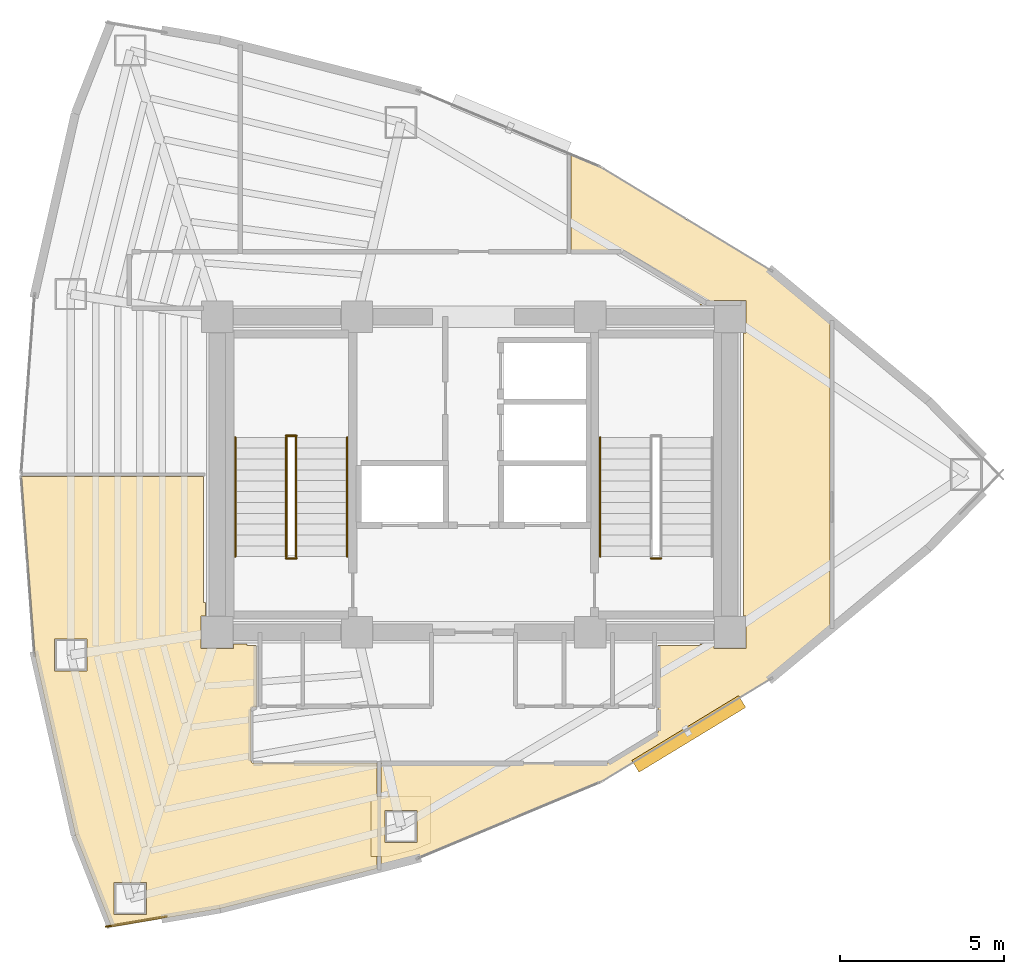
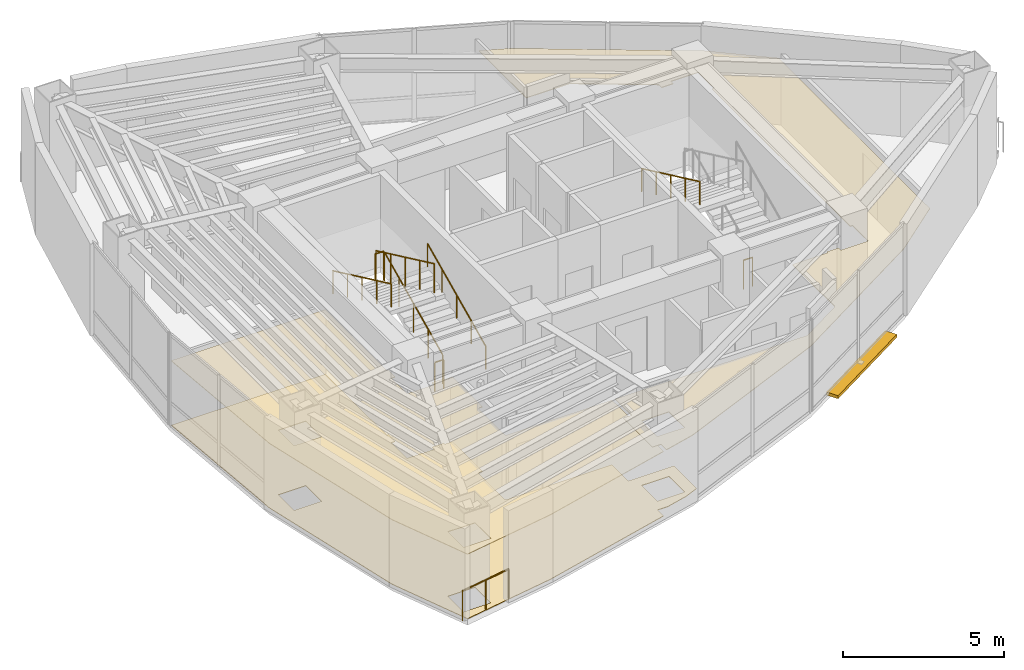
# One storey, part 14 of 15: 9 railings, 3 coverings, 1 shading device.
"""IFC4 building model written with IfcOpenShell, lengths in metres."""

from ifc_helpers import new_model, si_unit, direction, frame, origin, origin_2d, place, context, subcontext, project, spatial, polyline, rectangle, circle, outline, extrude, material, layer, layer_set, type_object, element, save


model = new_model("IFC4")

# Units and contexts
model_context = context("Model", 3, precision=1e-05, world=origin(), true_north=direction((0.0, 1.0)))
body_context = subcontext(model_context, "Body", "Model", "MODEL_VIEW")
ifc_project = project(units=[si_unit("LENGTHUNIT", "METRE"), si_unit("AREAUNIT", "SQUARE_METRE"), si_unit("VOLUMEUNIT", "CUBIC_METRE"), si_unit("PLANEANGLEUNIT", "RADIAN"), si_unit("MASSUNIT", "GRAM", prefix="KILO")], contexts=[model_context])

# Site, building, storey
site_placement = place(None, origin())
site = spatial("IfcSite", under=ifc_project, at=site_placement, CompositionType="ELEMENT")
building_placement = place(site_placement, origin())
building = spatial("IfcBuilding", under=site, at=building_placement, Name="Menara Vayukalpa", CompositionType="ELEMENT")
storey_placement = place(building_placement, frame((0.0, 0.0, 187.800048828125)))
storey = spatial("IfcBuildingStorey", under=building, at=storey_placement, Name="L47", CompositionType="ELEMENT", Elevation=187.800048828125)

# Coverings
ifc_material_1 = material(Name="Mineral Fibre Acoustic Ceiling Tile", Category="masonry")
ifc_layer_1 = layer(ifc_material_1, 0.02490234375)
ifc_layer_set_1 = layer_set([ifc_layer_1], Name="Mineral Fibre Acoustic Ceiling Tile")
covering_type_1 = type_object("IfcCoveringType", Name="COV-CLG1", PredefinedType="CEILING", material=ifc_layer_set_1)
covering_1_placement = place(storey_placement, frame((0.0, 0.0, 2.449951171875)))
element("IfcCovering", 1, at=covering_1_placement, inside=storey, type_object=covering_type_1, Name="L47 Departmental Archive Room Acoustic Ceiling", PredefinedType="CEILING", context=body_context, shape_type="SweptSolid", body=[
    extrude(outline(polyline([(24.29931640625, 10.78662109375), (23.799560546875, 10.57763671875), (23.03076171875, 10.381591796875), (22.664794921875, 10.381591796875), (22.664794921875, 10.017333984375), (22.664794921875, 10.016357421875), (22.664794921875, 10.015380859375), (22.664306640625, 10.014404296875), (22.6640625, 10.013427734375), (22.66357421875, 10.012451171875), (22.6630859375, 10.01171875), (22.66259765625, 10.010986328125), (22.661865234375, 10.010009765625), (22.660888671875, 10.009521484375), (22.66015625, 10.0087890625), (22.6591796875, 10.00830078125), (22.658203125, 10.008056640625), (22.657470703125, 10.0078125), (17.8798828125, 8.789306640625), (17.879150390625, 8.7890625), (14.59423828125, 8.2314453125), (14.59326171875, 8.231201171875), (14.59228515625, 8.231201171875), (14.59130859375, 8.2314453125), (14.59033203125, 8.2314453125), (14.58935546875, 8.231689453125), (14.58837890625, 8.232177734375), (14.587646484375, 8.232666015625), (14.5869140625, 8.233154296875), (14.5859375, 8.233642578125), (14.585205078125, 8.234375), (14.584716796875, 8.235107421875), (14.583984375, 8.23583984375), (14.58349609375, 8.23681640625), (14.583251953125, 8.237548828125), (13.489013671875, 11.023681640625), (13.48876953125, 11.0244140625), (13.488525390625, 11.025146484375), (12.25390625, 16.51171875), (12.25390625, 16.51318359375), (11.84765625, 21.92919921875), (11.84765625, 21.93017578125), (11.84765625, 21.93115234375), (11.847900390625, 21.93212890625), (11.84814453125, 21.93310546875), (11.848388671875, 21.93408203125), (11.848876953125, 21.934814453125), (11.849365234375, 21.935791015625), (11.849853515625, 21.936279296875), (11.8505859375, 21.93701171875), (11.851318359375, 21.937744140625), (11.85205078125, 21.9384765625), (11.852783203125, 21.93896484375), (11.853759765625, 21.939208984375), (11.854736328125, 21.939697265625), (11.855712890625, 21.939697265625), (11.856689453125, 21.93994140625), (11.857666015625, 21.93994140625), (17.3798828125, 21.93994140625), (17.381103515625, 21.93994140625), (17.382080078125, 21.939697265625), (17.3828125, 21.939697265625), (17.3837890625, 21.939208984375), (17.384765625, 21.938720703125), (17.385498046875, 21.938232421875), (17.38623046875, 21.937744140625), (17.38720703125, 21.93701171875), (17.3876953125, 21.936279296875), (17.38818359375, 21.935546875), (17.388916015625, 21.934814453125), (17.38916015625, 21.933837890625), (17.3896484375, 21.932861328125), (17.389892578125, 21.931884765625), (17.389892578125, 21.930908203125), (17.389892578125, 21.929931640625), (17.389892578125, 18.110107421875), (17.449951171875, 18.110107421875), (17.449951171875, 17.68994140625), (17.31005859375, 17.68994140625), (17.31005859375, 16.7099609375), (18.2900390625, 16.7099609375), (18.2900390625, 16.85009765625), (18.7099609375, 16.85009765625), (18.7099609375, 16.7900390625), (18.97998046875, 16.7900390625), (18.98095703125, 16.7900390625), (18.98193359375, 16.789794921875), (18.98291015625, 16.78955078125), (18.98388671875, 16.789306640625), (18.984619140625, 16.788818359375), (18.985595703125, 16.788330078125), (18.986328125, 16.78759765625), (18.987060546875, 16.787109375), (18.98779296875, 16.786376953125), (18.98828125, 16.78564453125), (18.98876953125, 16.78466796875), (18.9892578125, 16.78369140625), (18.989501953125, 16.782958984375), (18.98974609375, 16.781982421875), (18.989990234375, 16.781005859375), (18.989990234375, 16.780029296875), (18.989990234375, 14.929931640625), (18.989990234375, 14.928955078125), (18.98974609375, 14.927978515625), (18.989501953125, 14.927001953125), (18.9892578125, 14.92626953125), (18.98876953125, 14.92529296875), (18.98828125, 14.92431640625), (18.98779296875, 14.923583984375), (18.987060546875, 14.9228515625), (18.986328125, 14.92236328125), (18.985595703125, 14.921630859375), (18.984619140625, 14.921142578125), (18.98388671875, 14.9208984375), (18.98291015625, 14.92041015625), (18.98193359375, 14.920166015625), (18.98095703125, 14.919921875), (18.97998046875, 14.919921875), (18.900390625, 14.919921875), (18.893310546875, 14.919677734375), (18.88623046875, 14.918701171875), (18.879638671875, 14.9169921875), (18.873291015625, 14.914794921875), (18.866943359375, 14.911865234375), (18.861083984375, 14.908203125), (18.85546875, 14.904052734375), (18.8505859375, 14.8994140625), (18.845947265625, 14.89453125), (18.841796875, 14.888916015625), (18.838134765625, 14.883056640625), (18.835205078125, 14.876708984375), (18.8330078125, 14.870361328125), (18.831298828125, 14.86376953125), (18.830322265625, 14.856689453125), (18.830078125, 14.849609375), (18.830078125, 13.290283203125), (18.830322265625, 13.283203125), (18.831298828125, 13.2763671875), (18.8330078125, 13.269775390625), (18.835205078125, 13.26318359375), (18.838134765625, 13.257080078125), (18.841796875, 13.251220703125), (18.845947265625, 13.24560546875), (18.8505859375, 13.240478515625), (18.85546875, 13.236083984375), (18.861083984375, 13.231689453125), (18.866943359375, 13.228271484375), (18.873291015625, 13.225341796875), (18.879638671875, 13.222900390625), (18.88623046875, 13.22119140625), (18.893310546875, 13.220458984375), (18.900390625, 13.219970703125), (22.65478515625, 13.219970703125), (22.656005859375, 13.219970703125), (22.656982421875, 13.2197265625), (22.65771484375, 13.219482421875), (22.65869140625, 13.21923828125), (22.65966796875, 13.21875), (22.660400390625, 13.21826171875), (22.6611328125, 13.2177734375), (22.662109375, 13.217041015625), (22.66259765625, 13.21630859375), (22.6630859375, 13.215576171875), (22.663818359375, 13.214599609375), (22.6640625, 13.2138671875), (22.66455078125, 13.212890625), (22.664794921875, 13.2119140625), (22.664794921875, 13.2109375), (22.664794921875, 13.2099609375), (22.664794921875, 12.20166015625), (24.29931640625, 12.20166015625), (24.29931640625, 10.78662109375)]), holes=[polyline([(14.664794921875, 9.58740234375), (14.664794921875, 8.607421875), (15.644775390625, 8.607421875), (15.644775390625, 9.58740234375), (14.664794921875, 9.58740234375)]), polyline([(13.833984375, 17.000732421875), (12.85400390625, 17.000732421875), (12.85400390625, 16.020751953125), (13.833984375, 16.020751953125), (13.833984375, 17.000732421875)]), polyline([(23.87939453125, 11.781494140625), (22.8994140625, 11.781494140625), (22.8994140625, 10.801513671875), (23.87939453125, 10.801513671875), (23.87939453125, 11.781494140625)])]), origin(), (0.0, 0.0, 1.0), 0.02490234375),
])
covering_2_placement = place(storey_placement, frame((0.0, 0.0, 2.449951171875)))
element("IfcCovering", 2, at=covering_2_placement, inside=storey, type_object=covering_type_1, Name="L47 Staff Dining and Pantry Acoustic Ceiling", PredefinedType="CEILING", context=body_context, shape_type="SweptSolid", body=[
    extrude(outline(polyline([(22.784912109375, 13.2099609375), (22.784912109375, 13.2109375), (22.78515625, 13.2119140625), (22.785400390625, 13.212890625), (22.78564453125, 13.2138671875), (22.7861328125, 13.214599609375), (22.78662109375, 13.215576171875), (22.787109375, 13.21630859375), (22.787841796875, 13.217041015625), (22.78857421875, 13.2177734375), (22.789306640625, 13.21826171875), (22.790283203125, 13.21875), (22.791015625, 13.21923828125), (22.7919921875, 13.219482421875), (22.79296875, 13.2197265625), (22.7939453125, 13.219970703125), (22.794921875, 13.219970703125), (29.667236328125, 13.219970703125), (29.673828125, 13.22021484375), (29.68017578125, 13.22119140625), (29.686279296875, 13.22265625), (29.6923828125, 13.224609375), (29.6982421875, 13.22705078125), (29.7041015625, 13.230224609375), (31.18603515625, 14.130615234375), (31.1923828125, 14.134765625), (31.19775390625, 14.139404296875), (31.20263671875, 14.14453125), (31.20703125, 14.150146484375), (31.2109375, 14.15625), (31.214111328125, 14.16259765625), (31.216552734375, 14.16943359375), (31.218505859375, 14.176513671875), (31.219482421875, 14.183349609375), (31.219970703125, 14.19091796875), (31.219970703125, 14.849609375), (31.219482421875, 14.856689453125), (31.21875, 14.86376953125), (31.217041015625, 14.870361328125), (31.214599609375, 14.876708984375), (31.2119140625, 14.8828125), (31.211669921875, 14.883056640625), (31.211181640625, 14.8837890625), (31.210693359375, 14.884765625), (31.21044921875, 14.8857421875), (31.210205078125, 14.88671875), (31.2099609375, 14.8876953125), (31.2099609375, 14.888671875), (31.2099609375, 16.780029296875), (31.2099609375, 16.781005859375), (31.210205078125, 16.781982421875), (31.21044921875, 16.782958984375), (31.210693359375, 16.78369140625), (31.211181640625, 16.78466796875), (31.211669921875, 16.78564453125), (31.21240234375, 16.786376953125), (31.212890625, 16.787109375), (31.213623046875, 16.78759765625), (31.21435546875, 16.788330078125), (31.21533203125, 16.788818359375), (31.21630859375, 16.789306640625), (31.217041015625, 16.78955078125), (31.218017578125, 16.789794921875), (31.218994140625, 16.7900390625), (31.219970703125, 16.7900390625), (32.489990234375, 16.7900390625), (32.489990234375, 16.85009765625), (32.909912109375, 16.85009765625), (32.909912109375, 16.7099609375), (33.889892578125, 16.7099609375), (33.889892578125, 17.68994140625), (33.81005859375, 17.68994140625), (33.81005859375, 26.31005859375), (33.889892578125, 26.31005859375), (33.889892578125, 27.2900390625), (32.909912109375, 27.2900390625), (32.909912109375, 27.14990234375), (32.489990234375, 27.14990234375), (32.489990234375, 27.322265625), (30.12353515625, 28.759765625), (30.117919921875, 28.762939453125), (30.112060546875, 28.765380859375), (30.10595703125, 28.767333984375), (30.099609375, 28.768798828125), (30.093505859375, 28.769775390625), (30.0869140625, 28.77001953125), (28.570068359375, 28.77001953125), (28.569091796875, 28.77001953125), (28.568115234375, 28.770263671875), (28.567138671875, 28.7705078125), (28.566162109375, 28.770751953125), (28.565185546875, 28.771240234375), (28.564453125, 28.771728515625), (28.563720703125, 28.772216796875), (28.56298828125, 28.77294921875), (28.562255859375, 28.773681640625), (28.561767578125, 28.7744140625), (28.561279296875, 28.775390625), (28.560791015625, 28.776123046875), (28.560302734375, 28.777099609375), (28.560302734375, 28.778076171875), (28.56005859375, 28.779052734375), (28.56005859375, 28.780029296875), (28.56005859375, 31.708740234375), (28.56005859375, 31.709716796875), (28.560302734375, 31.710693359375), (28.560302734375, 31.711669921875), (28.560791015625, 31.71240234375), (28.561279296875, 31.71337890625), (28.561767578125, 31.71435546875), (28.562255859375, 31.715087890625), (28.56298828125, 31.7158203125), (28.563720703125, 31.71630859375), (28.564453125, 31.717041015625), (28.565185546875, 31.717529296875), (28.566162109375, 31.718017578125), (28.567138671875, 31.71826171875), (28.568115234375, 31.718505859375), (28.569091796875, 31.71875), (28.570068359375, 31.71875), (28.571044921875, 31.718505859375), (28.572021484375, 31.718505859375), (28.572998046875, 31.71826171875), (28.573974609375, 31.718017578125), (29.478515625, 31.33935546875), (29.479248046875, 31.339111328125), (29.47998046875, 31.338623046875), (34.660888671875, 28.19140625), (34.662109375, 28.190673828125), (36.438720703125, 26.71728515625), (36.439208984375, 26.716796875), (36.43994140625, 26.7158203125), (36.440673828125, 26.715087890625), (36.441162109375, 26.714111328125), (36.44140625, 26.71337890625), (36.44189453125, 26.71240234375), (36.442138671875, 26.711181640625), (36.442138671875, 26.710205078125), (36.442138671875, 26.709228515625), (36.442138671875, 26.708251953125), (36.44189453125, 26.707275390625), (36.441162109375, 26.7041015625), (36.440185546875, 26.6982421875), (36.43994140625, 26.6923828125), (36.43994140625, 17.3076171875), (36.440185546875, 17.3017578125), (36.441162109375, 17.2958984375), (36.44189453125, 17.292724609375), (36.442138671875, 17.291748046875), (36.442138671875, 17.290771484375), (36.442138671875, 17.289794921875), (36.442138671875, 17.288818359375), (36.44189453125, 17.28759765625), (36.44140625, 17.28662109375), (36.441162109375, 17.285888671875), (36.440673828125, 17.284912109375), (36.43994140625, 17.2841796875), (36.439208984375, 17.283203125), (36.438720703125, 17.28271484375), (34.662109375, 15.809326171875), (34.660888671875, 15.80859375), (29.47998046875, 12.661376953125), (29.479248046875, 12.660888671875), (29.478515625, 12.66064453125), (23.885986328125, 10.3212890625), (23.884765625, 10.32080078125), (22.79736328125, 10.04345703125), (22.79638671875, 10.043212890625), (22.79541015625, 10.043212890625), (22.79443359375, 10.043212890625), (22.793701171875, 10.043212890625), (22.79248046875, 10.04345703125), (22.791748046875, 10.043701171875), (22.790771484375, 10.0439453125), (22.7900390625, 10.04443359375), (22.7890625, 10.044921875), (22.788330078125, 10.04541015625), (22.78759765625, 10.046142578125), (22.787109375, 10.046875), (22.78662109375, 10.047607421875), (22.785888671875, 10.048583984375), (22.78564453125, 10.04931640625), (22.785400390625, 10.05029296875), (22.78515625, 10.05126953125), (22.784912109375, 10.052001953125), (22.784912109375, 10.052978515625), (22.784912109375, 10.381591796875), (22.4794921875, 10.381591796875), (22.4794921875, 12.20166015625), (22.784912109375, 12.20166015625), (22.784912109375, 13.2099609375)]), holes=[polyline([(23.87939453125, 11.781494140625), (22.8994140625, 11.781494140625), (22.8994140625, 10.801513671875), (23.87939453125, 10.801513671875), (23.87939453125, 11.781494140625)])]), origin(), (0.0, 0.0, 1.0), 0.02490234375),
])
ifc_material_2 = material(Name="Porcelain Stoneware Floor Tile", Category="masonry")
ifc_layer_2 = layer(ifc_material_2, 0.02001953125)
ifc_layer_set_2 = layer_set([ifc_layer_2], Name="Porcelain Stoneware Floor Tile")
covering_type_2 = type_object("IfcCoveringType", Name="COV-FLR1", PredefinedType="FLOORING", material=ifc_layer_set_2)
covering_3_placement = place(storey_placement, origin())
element("IfcCovering", 3, at=covering_3_placement, inside=storey, type_object=covering_type_2, Name="L47 Departmental Archive Room Porcelain Flooring", PredefinedType="FLOORING", context=body_context, shape_type="SweptSolid", body=[
    extrude(outline(polyline([(24.29931640625, 10.78662109375), (23.799560546875, 10.57763671875), (23.03076171875, 10.381591796875), (22.664794921875, 10.381591796875), (22.664794921875, 10.017333984375), (22.664794921875, 10.016357421875), (22.664794921875, 10.015380859375), (22.664306640625, 10.014404296875), (22.6640625, 10.013427734375), (22.66357421875, 10.012451171875), (22.6630859375, 10.01171875), (22.66259765625, 10.010986328125), (22.661865234375, 10.010009765625), (22.660888671875, 10.009521484375), (22.66015625, 10.0087890625), (22.6591796875, 10.00830078125), (22.658203125, 10.008056640625), (22.657470703125, 10.0078125), (17.8798828125, 8.789306640625), (17.879150390625, 8.7890625), (14.59423828125, 8.2314453125), (14.59326171875, 8.231201171875), (14.59228515625, 8.231201171875), (14.59130859375, 8.2314453125), (14.59033203125, 8.2314453125), (14.58935546875, 8.231689453125), (14.58837890625, 8.232177734375), (14.587646484375, 8.232666015625), (14.5869140625, 8.233154296875), (14.5859375, 8.233642578125), (14.585205078125, 8.234375), (14.584716796875, 8.235107421875), (14.583984375, 8.23583984375), (14.58349609375, 8.23681640625), (14.583251953125, 8.237548828125), (13.489013671875, 11.023681640625), (13.48876953125, 11.0244140625), (13.488525390625, 11.025146484375), (12.25390625, 16.51171875), (12.25390625, 16.51318359375), (11.84765625, 21.92919921875), (11.84765625, 21.93017578125), (11.84765625, 21.93115234375), (11.847900390625, 21.93212890625), (11.84814453125, 21.93310546875), (11.848388671875, 21.93408203125), (11.848876953125, 21.934814453125), (11.849365234375, 21.935791015625), (11.849853515625, 21.936279296875), (11.8505859375, 21.93701171875), (11.851318359375, 21.937744140625), (11.85205078125, 21.9384765625), (11.852783203125, 21.93896484375), (11.853759765625, 21.939208984375), (11.854736328125, 21.939697265625), (11.855712890625, 21.939697265625), (11.856689453125, 21.93994140625), (11.857666015625, 21.93994140625), (17.3798828125, 21.93994140625), (17.381103515625, 21.93994140625), (17.382080078125, 21.939697265625), (17.3828125, 21.939697265625), (17.3837890625, 21.939208984375), (17.384765625, 21.938720703125), (17.385498046875, 21.938232421875), (17.38623046875, 21.937744140625), (17.38720703125, 21.93701171875), (17.3876953125, 21.936279296875), (17.38818359375, 21.935546875), (17.388916015625, 21.934814453125), (17.38916015625, 21.933837890625), (17.3896484375, 21.932861328125), (17.389892578125, 21.931884765625), (17.389892578125, 21.930908203125), (17.389892578125, 21.929931640625), (17.389892578125, 18.110107421875), (17.449951171875, 18.110107421875), (17.449951171875, 17.68994140625), (17.31005859375, 17.68994140625), (17.31005859375, 16.7099609375), (18.2900390625, 16.7099609375), (18.2900390625, 16.85009765625), (18.7099609375, 16.85009765625), (18.7099609375, 16.7900390625), (18.97998046875, 16.7900390625), (18.98095703125, 16.7900390625), (18.98193359375, 16.789794921875), (18.98291015625, 16.78955078125), (18.98388671875, 16.789306640625), (18.984619140625, 16.788818359375), (18.985595703125, 16.788330078125), (18.986328125, 16.78759765625), (18.987060546875, 16.787109375), (18.98779296875, 16.786376953125), (18.98828125, 16.78564453125), (18.98876953125, 16.78466796875), (18.9892578125, 16.78369140625), (18.989501953125, 16.782958984375), (18.98974609375, 16.781982421875), (18.989990234375, 16.781005859375), (18.989990234375, 16.780029296875), (18.989990234375, 14.929931640625), (18.989990234375, 14.928955078125), (18.98974609375, 14.927978515625), (18.989501953125, 14.927001953125), (18.9892578125, 14.92626953125), (18.98876953125, 14.92529296875), (18.98828125, 14.92431640625), (18.98779296875, 14.923583984375), (18.987060546875, 14.9228515625), (18.986328125, 14.92236328125), (18.985595703125, 14.921630859375), (18.984619140625, 14.921142578125), (18.98388671875, 14.9208984375), (18.98291015625, 14.92041015625), (18.98193359375, 14.920166015625), (18.98095703125, 14.919921875), (18.97998046875, 14.919921875), (18.900390625, 14.919921875), (18.893310546875, 14.919677734375), (18.88623046875, 14.918701171875), (18.879638671875, 14.9169921875), (18.873291015625, 14.914794921875), (18.866943359375, 14.911865234375), (18.861083984375, 14.908203125), (18.85546875, 14.904052734375), (18.8505859375, 14.8994140625), (18.845947265625, 14.89453125), (18.841796875, 14.888916015625), (18.838134765625, 14.883056640625), (18.835205078125, 14.876708984375), (18.8330078125, 14.870361328125), (18.831298828125, 14.86376953125), (18.830322265625, 14.856689453125), (18.830078125, 14.849609375), (18.830078125, 13.290283203125), (18.830322265625, 13.283203125), (18.831298828125, 13.2763671875), (18.8330078125, 13.269775390625), (18.835205078125, 13.26318359375), (18.838134765625, 13.257080078125), (18.841796875, 13.251220703125), (18.845947265625, 13.24560546875), (18.8505859375, 13.240478515625), (18.85546875, 13.236083984375), (18.861083984375, 13.231689453125), (18.866943359375, 13.228271484375), (18.873291015625, 13.225341796875), (18.879638671875, 13.222900390625), (18.88623046875, 13.22119140625), (18.893310546875, 13.220458984375), (18.900390625, 13.219970703125), (22.65478515625, 13.219970703125), (22.656005859375, 13.219970703125), (22.656982421875, 13.2197265625), (22.65771484375, 13.219482421875), (22.65869140625, 13.21923828125), (22.65966796875, 13.21875), (22.660400390625, 13.21826171875), (22.6611328125, 13.2177734375), (22.662109375, 13.217041015625), (22.66259765625, 13.21630859375), (22.6630859375, 13.215576171875), (22.663818359375, 13.214599609375), (22.6640625, 13.2138671875), (22.66455078125, 13.212890625), (22.664794921875, 13.2119140625), (22.664794921875, 13.2109375), (22.664794921875, 13.2099609375), (22.664794921875, 12.20166015625), (24.29931640625, 12.20166015625), (24.29931640625, 10.78662109375)]), holes=[polyline([(14.664794921875, 9.58740234375), (14.664794921875, 8.607421875), (15.644775390625, 8.607421875), (15.644775390625, 9.58740234375), (14.664794921875, 9.58740234375)]), polyline([(13.833984375, 17.000732421875), (12.85400390625, 17.000732421875), (12.85400390625, 16.020751953125), (13.833984375, 16.020751953125), (13.833984375, 17.000732421875)]), polyline([(23.87939453125, 11.781494140625), (22.8994140625, 11.781494140625), (22.8994140625, 10.801513671875), (23.87939453125, 10.801513671875), (23.87939453125, 11.781494140625)])]), origin(), (0.0, 0.0, 1.0), 0.02001953125),
])

# Railings
ifc_material_3 = material(Name="Laminated Glass and Stainless Steel 316 Guardrail", Category="steel")
railing_type_1 = type_object("IfcRailingType", Name="RLG-EXT115", PredefinedType="GUARDRAIL", material=ifc_material_3)
railing_1_placement = place(storey_placement, frame((14.413818359375, 8.241455078125, 0.0)))
element("IfcRailing", 4, at=railing_1_placement, inside=storey, type_object=railing_type_1, Name="L47 Column Corner Spandrel Guardrail 14-1", PredefinedType="GUARDRAIL", context=body_context, shape_type="SweptSolid", body=[
    extrude(circle(Radius=0.02392578125, at=origin_2d()), frame((0.0, 0.0, 1.1259765625), z_axis=(0.985895107684, 0.167364382844, 0.0), x_axis=(-0.167364382844, 0.985895107684, 0.0)), (0.0, 0.0, 1.0), 1.86865234375),
    extrude(circle(Radius=0.02099609375, at=origin_2d()), origin(), (0.0, 0.0, 1.0), 1.101806640625),
    extrude(circle(Radius=0.02099609375, at=origin_2d()), frame((0.921142578125, 0.15625, 0.0)), (0.0, 0.0, 1.0), 1.101806640625),
    extrude(circle(Radius=0.02099609375, at=origin_2d()), frame((1.84228515625, 0.312744140625, 0.0)), (0.0, 0.0, 1.0), 1.101806640625),
])
ifc_material_4 = material(Name="Powder-Coated Galvanised Steel Guardrail", Category="steel")
railing_type_2 = type_object("IfcRailingType", Name="RLG-STG110", PredefinedType="GUARDRAIL", material=ifc_material_4)
railing_2_placement = place(storey_placement, frame((20.199951171875, 19.5, 0.155029296875)))
element("IfcRailing", 5, at=railing_2_placement, inside=storey, type_object=railing_type_2, Name="L47 ST-1 stair guard 1", PredefinedType="GUARDRAIL", context=body_context, shape_type="SweptSolid", body=[
    extrude(circle(Radius=0.02392578125, at=origin_2d()), frame((0.0, 0.0, 1.09619140625), z_axis=(0.0, 0.90513990983, 0.425113800803), x_axis=(-1.0, 0.0, 0.0)), (0.0, 0.0, 1.0), 4.01025390625),
    extrude(circle(Radius=0.02099609375, at=origin_2d()), origin(), (0.0, 0.0, 1.0), 1.072021484375),
    extrude(circle(Radius=0.02099609375, at=origin_2d()), frame((0.0, 0.907470703125, 0.42626953125)), (0.0, 0.0, 1.0), 1.072021484375),
    extrude(circle(Radius=0.02099609375, at=origin_2d()), frame((0.0, 1.81494140625, 0.8525390625)), (0.0, 0.0, 1.0), 1.072021484375),
    extrude(circle(Radius=0.02099609375, at=origin_2d()), frame((0.0, 2.722412109375, 1.278564453125)), (0.0, 0.0, 1.0), 1.072021484375),
    extrude(circle(Radius=0.02099609375, at=origin_2d()), frame((0.0, 3.6298828125, 1.704833984375)), (0.0, 0.0, 1.0), 1.072021484375),
])
railing_3_placement = place(storey_placement, frame((20.2099609375, 23.179931640625, 1.85986328125)))
element("IfcRailing", 6, at=railing_3_placement, inside=storey, type_object=railing_type_2, Name="L47 ST-1 stair guard 2", PredefinedType="GUARDRAIL", context=body_context, shape_type="SweptSolid", body=[
    extrude(circle(Radius=0.02392578125, at=origin_2d()), frame((0.0, 0.0, 1.09619140625), z_axis=(-1.0, 0.0, 0.0), x_axis=(0.0, -1.0, 0.0)), (0.0, 0.0, 1.0), 0.320068359375),
    extrude(circle(Radius=0.02099609375, at=origin_2d()), origin(), (0.0, 0.0, 1.0), 1.072021484375),
    extrude(circle(Radius=0.02099609375, at=origin_2d()), frame((-0.320068359375, 0.0, 0.0)), (0.0, 0.0, 1.0), 1.072021484375),
])
railing_4_placement = place(storey_placement, frame((19.89990234375, 23.1298828125, 2.014892578125)))
element("IfcRailing", 7, at=railing_4_placement, inside=storey, type_object=railing_type_2, Name="L47 ST-1 stair guard 3", PredefinedType="GUARDRAIL", context=body_context, shape_type="SweptSolid", body=[
    extrude(circle(Radius=0.02392578125, at=origin_2d()), frame((0.0, 0.0, 1.09619140625), z_axis=(0.0, -0.90511648382, 0.425163675209), x_axis=(1.0, 0.0, 0.0)), (0.0, 0.0, 1.0), 4.010498046875),
    extrude(circle(Radius=0.02099609375, at=origin_2d()), origin(), (0.0, 0.0, 1.0), 1.072021484375),
    extrude(circle(Radius=0.02099609375, at=origin_2d()), frame((0.0, -0.907470703125, 0.42626953125)), (0.0, 0.0, 1.0), 1.072021484375),
    extrude(circle(Radius=0.02099609375, at=origin_2d()), frame((0.0, -1.81494140625, 0.8525390625)), (0.0, 0.0, 1.0), 1.072021484375),
    extrude(circle(Radius=0.02099609375, at=origin_2d()), frame((0.0, -2.722412109375, 1.27880859375)), (0.0, 0.0, 1.0), 1.072021484375),
    extrude(circle(Radius=0.02099609375, at=origin_2d()), frame((0.0, -3.6298828125, 1.705078125)), (0.0, 0.0, 1.0), 1.072021484375),
])
for number, where, name in (
    (8, (20.2099609375, 19.449951171875, 0.0), "L47 ST-1 stair guard 4"),
    (9, (31.31005859375, 19.449951171875, 0.0), "L47 ST-2 stair guard 4"),
):
    element("IfcRailing", number, at=place(storey_placement, frame(where)), inside=storey, type_object=railing_type_2, Name=name, PredefinedType="GUARDRAIL", context=body_context, shape_type="SweptSolid", body=[
        extrude(circle(Radius=0.02392578125, at=origin_2d()), frame((0.0, 0.0, 1.09619140625), z_axis=(-1.0, 0.0, 0.0), x_axis=(0.0, -1.0, 0.0)), (0.0, 0.0, 1.0), 0.320068359375),
        extrude(circle(Radius=0.02099609375, at=origin_2d()), origin(), (0.0, 0.0, 1.0), 1.072021484375),
        extrude(circle(Radius=0.02099609375, at=origin_2d()), frame((-0.320068359375, 0.0, 0.0)), (0.0, 0.0, 1.0), 1.072021484375),
    ])
ifc_material_5 = material(Name="Stainless Steel 316 Tubular Handrail", Category="steel")
railing_type_3 = type_object("IfcRailingType", Name="RLG-STH090", PredefinedType="HANDRAIL", material=ifc_material_5)
railing_5_placement = place(storey_placement, frame((21.75, 19.5, 0.155029296875)))
element("IfcRailing", 10, at=railing_5_placement, inside=storey, type_object=railing_type_3, Name="L47 ST-1 stair handrail 1", PredefinedType="HANDRAIL", context=body_context, shape_type="SweptSolid", body=[
    extrude(circle(Radius=0.02392578125, at=origin_2d()), frame((0.0, 0.0, 0.8759765625), z_axis=(0.0, 0.90513990983, 0.425113800803), x_axis=(-1.0, 0.0, 0.0)), (0.0, 0.0, 1.0), 4.01025390625),
    extrude(circle(Radius=0.02099609375, at=origin_2d()), origin(), (0.0, 0.0, 1.0), 0.851806640625),
    extrude(circle(Radius=0.02099609375, at=origin_2d()), frame((0.0, 0.907470703125, 0.42626953125)), (0.0, 0.0, 1.0), 0.851806640625),
    extrude(circle(Radius=0.02099609375, at=origin_2d()), frame((0.0, 1.81494140625, 0.8525390625)), (0.0, 0.0, 1.0), 0.851806640625),
    extrude(circle(Radius=0.02099609375, at=origin_2d()), frame((0.0, 2.722412109375, 1.278564453125)), (0.0, 0.0, 1.0), 0.851806640625),
    extrude(circle(Radius=0.02099609375, at=origin_2d()), frame((0.0, 3.6298828125, 1.704833984375)), (0.0, 0.0, 1.0), 0.851806640625),
])
for number, where, name in (
    (11, (18.35009765625, 23.1298828125, 2.014892578125), "L47 ST-1 stair handrail 2"),
    (12, (29.449951171875, 23.1298828125, 2.014892578125), "L47 ST-2 stair handrail 2"),
):
    element("IfcRailing", number, at=place(storey_placement, frame(where)), inside=storey, type_object=railing_type_3, Name=name, PredefinedType="HANDRAIL", context=body_context, shape_type="SweptSolid", body=[
        extrude(circle(Radius=0.02392578125, at=origin_2d()), frame((0.0, 0.0, 0.8759765625), z_axis=(0.0, -0.90511648382, 0.425163675209), x_axis=(1.0, 0.0, 0.0)), (0.0, 0.0, 1.0), 4.010498046875),
        extrude(circle(Radius=0.02099609375, at=origin_2d()), origin(), (0.0, 0.0, 1.0), 0.851806640625),
        extrude(circle(Radius=0.02099609375, at=origin_2d()), frame((0.0, -0.907470703125, 0.42626953125)), (0.0, 0.0, 1.0), 0.851806640625),
        extrude(circle(Radius=0.02099609375, at=origin_2d()), frame((0.0, -1.81494140625, 0.8525390625)), (0.0, 0.0, 1.0), 0.851806640625),
        extrude(circle(Radius=0.02099609375, at=origin_2d()), frame((0.0, -2.722412109375, 1.27880859375)), (0.0, 0.0, 1.0), 0.851806640625),
        extrude(circle(Radius=0.02099609375, at=origin_2d()), frame((0.0, -3.6298828125, 1.705078125)), (0.0, 0.0, 1.0), 0.851806640625),
    ])

# Shading device
ifc_material_6 = material(Name="Glazed Terracotta Ceramic Baguette Extrusion", Category="masonry")
ifc_layer_3 = layer(ifc_material_6, 0.1201171875)
ifc_layer_set_3 = layer_set([ifc_layer_3], Name="Glazed Terracotta Ceramic Baguette Extrusion")
shading_device_type = type_object("IfcShadingDeviceType", Name="SHD-SS1", PredefinedType="USERDEFINED", material=ifc_layer_set_3)
shading_device_placement = place(storey_placement, frame((32.148193359375, 14.106689453125, -0.10009765625), z_axis=(0.0, 0.0, 1.0), x_axis=(0.85466730962, 0.519176068272, 0.0)))
element("IfcShadingDevice", 13, at=shading_device_placement, inside=storey, type_object=shading_device_type, Name="L47 Horizontal Terracotta Sunshade Band 17", ObjectType="SUNSHADE", PredefinedType="USERDEFINED", context=body_context, shape_type="SweptSolid", body=[
    extrude(rectangle(XDim=3.800048828125, YDim=0.419921875, at=origin_2d()), origin(), (0.0, 0.0, 1.0), 0.1201171875),
])

save(model, "model.ifc")
